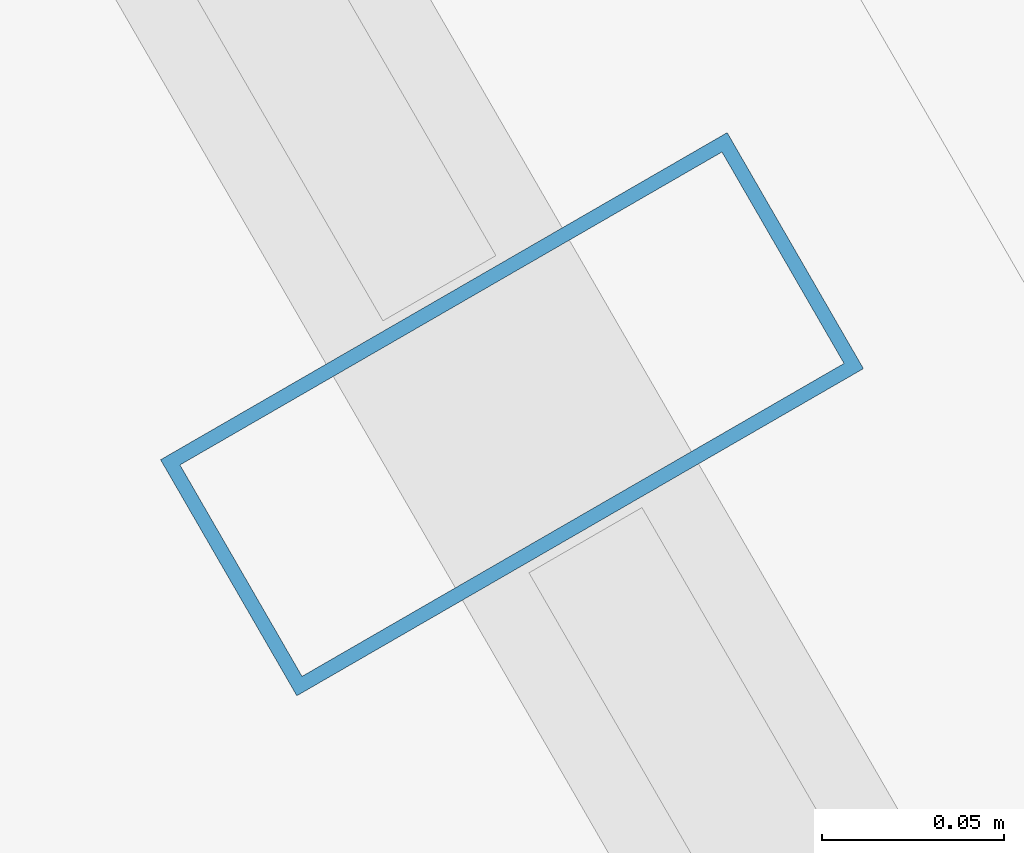
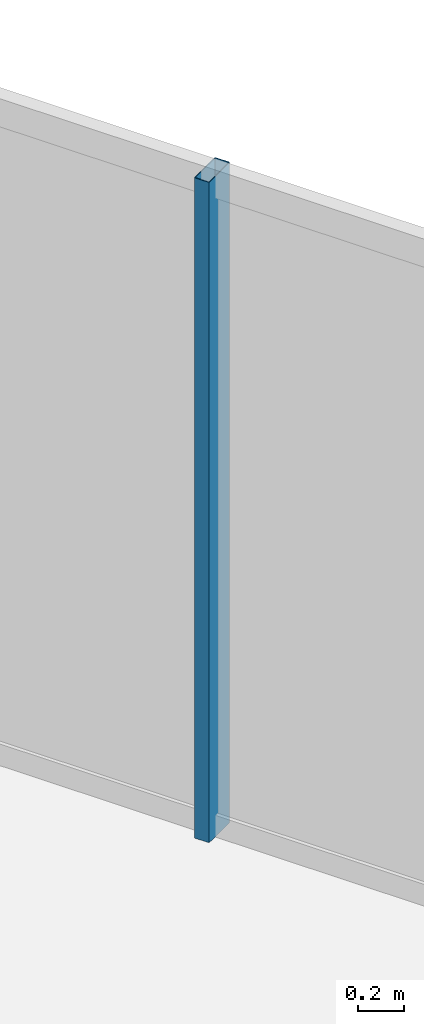
# One storey, part 17 of 32: 1 member, 1 element without a shape of its own.
"""IFC4 building model written with IfcOpenShell, lengths in metres."""

from ifc_helpers import new_model, si_unit, direction, frame, origin, origin_2d, place, context, subcontext, project, spatial, hollow_rectangle, extrude, material, layer, layer_set, material_profile, profile_set, type_object, element, aggregate, save


model = new_model("IFC4")

# Units and contexts
model_context = context("Model", 3, precision=1e-05, world=origin(), true_north=direction((0.0, 1.0)))
body_context = subcontext(model_context, "Body", "Model", "MODEL_VIEW")
ifc_project = project(units=[si_unit("LENGTHUNIT", "METRE"), si_unit("AREAUNIT", "SQUARE_METRE"), si_unit("VOLUMEUNIT", "CUBIC_METRE"), si_unit("PLANEANGLEUNIT", "RADIAN"), si_unit("MASSUNIT", "GRAM", prefix="KILO")], contexts=[model_context])

# Site, building, storey
site_placement = place(None, origin())
site = spatial("IfcSite", under=ifc_project, at=site_placement, CompositionType="ELEMENT")
building_placement = place(site_placement, origin())
building = spatial("IfcBuilding", under=site, at=building_placement, Name="Ndaravel Arena Tower", CompositionType="ELEMENT")
storey_placement = place(building_placement, frame((0.0, 0.0, 294.699951171875)))
storey = spatial("IfcBuildingStorey", under=building, at=storey_placement, Name="L72", CompositionType="ELEMENT", Elevation=294.699951171875)

# Curtain wall, member
ifc_material_1 = material(Name="Aluminium", Category="aluminium")
ifc_layer = layer(ifc_material_1, 0.179931640625)
ifc_layer_set = layer_set([ifc_layer], Name="Aluminium")
curtain_wall_type = type_object("IfcCurtainWallType", Name="CW-SYS-03", PredefinedType="NOTDEFINED", material=ifc_layer_set)
curtain_wall_placement = place(storey_placement, origin())
curtain_wall = element("IfcCurtainWall", 1, at=curtain_wall_placement, inside=storey, type_object=curtain_wall_type, Name="L72 Faceted Crystal Curtain Wall CW-L72-E03", PredefinedType="NOTDEFINED")
ifc_material_2 = material(Name="Aluminium", Category="aluminium")
ifc_material_profile = material_profile(ifc_material_2, hollow_rectangle(XDim=0.074951171875, YDim=0.179931640625, WallThickness=0.00390625, at=origin_2d()), Name="CW MULLION 75x180x4")
ifc_profile_set = profile_set([ifc_material_profile], Name="Aluminium")
member_type = type_object("IfcMemberType", Name="MEM-CW-MUL180", PredefinedType="MULLION", material=ifc_profile_set)
member_placement = place(storey_placement, frame((50.705810546875, 31.84228515625, 0.0), z_axis=(0.0, 0.0, 1.0), x_axis=(-0.5, 0.866025403784, 0.0)))
member = element("IfcMember", 2, at=member_placement, type_object=member_type, Name="CW-L72-E03 Mullion 06", PredefinedType="MULLION", context=body_context, shape_type="SweptSolid", body=[
    extrude(hollow_rectangle(XDim=0.074951171875, YDim=0.179931640625, WallThickness=0.00390625, at=origin_2d()), origin(), (0.0, 0.0, 1.0), 3.52001953125),
])
aggregate(curtain_wall, [member])

save(model, "model.ifc")
